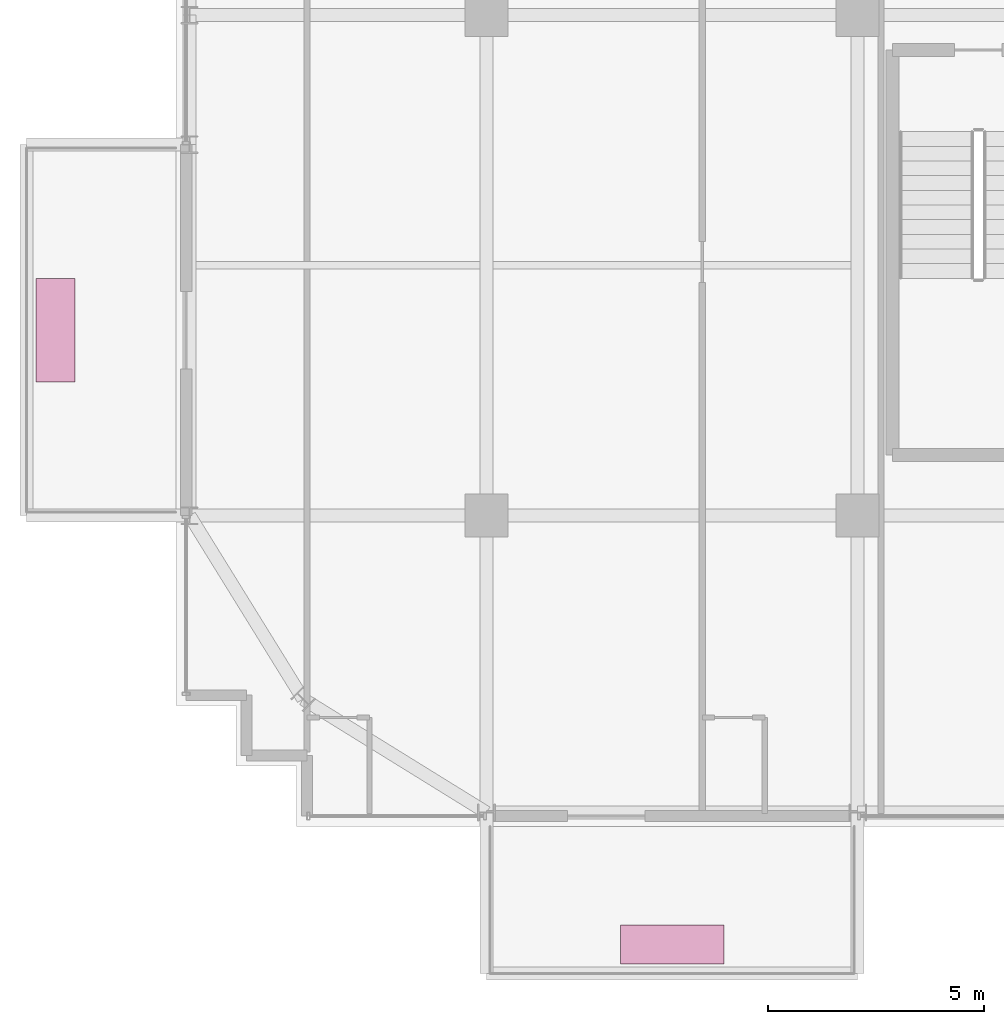
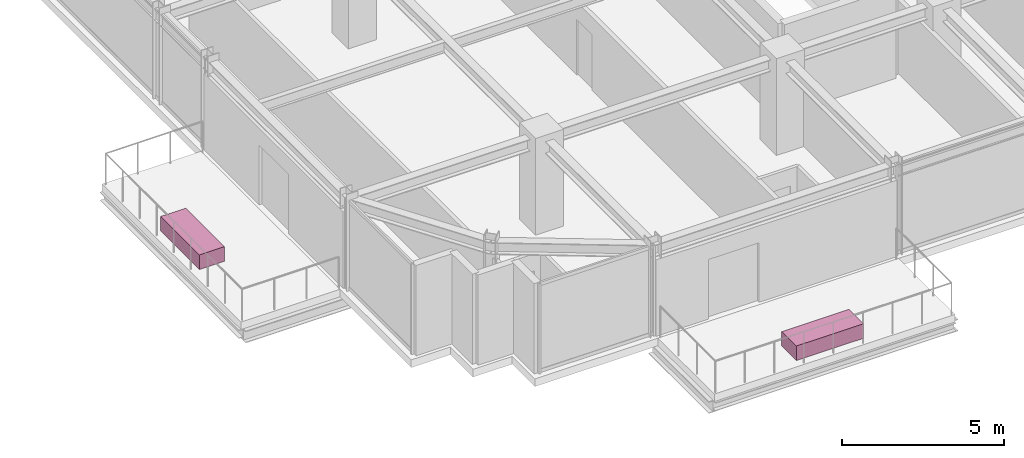
# One storey, part 35 of 35: 2 furnishings.
"""IFC4 building model written with IfcOpenShell, lengths in metres."""

from ifc_helpers import new_model, si_unit, direction, frame, origin, origin_2d, place, context, subcontext, project, spatial, rectangle, extrude, source, transform, mapped, material, type_object, element, save


model = new_model("IFC4")

# Units and contexts
model_context = context("Model", 3, precision=1e-05, world=origin(), true_north=direction((0.0, 1.0)))
body_context = subcontext(model_context, "Body", "Model", "MODEL_VIEW")
ifc_project = project(units=[si_unit("LENGTHUNIT", "METRE"), si_unit("AREAUNIT", "SQUARE_METRE"), si_unit("VOLUMEUNIT", "CUBIC_METRE"), si_unit("PLANEANGLEUNIT", "RADIAN"), si_unit("MASSUNIT", "GRAM", prefix="KILO")], contexts=[model_context])

# Site, building, storey
site_placement = place(None, origin())
site = spatial("IfcSite", under=ifc_project, at=site_placement, CompositionType="ELEMENT")
building_placement = place(site_placement, origin())
building = spatial("IfcBuilding", under=site, at=building_placement, Name="Nahalor Promenade Grand Hotel", CompositionType="ELEMENT")
storey_placement = place(building_placement, frame((0.0, 0.0, 245.60009765625)))
storey = spatial("IfcBuildingStorey", under=building, at=storey_placement, Name="L63", CompositionType="ELEMENT", Elevation=245.60009765625)

# Furnishings
ifc_material = material(Name="Vegetated Volcanic-Lapilli Tree Planter", Category="earth")
furnishing_element_type = type_object("IfcFurnishingElementType", Name="Planter-VerticalForest-Box", material=ifc_material)
shared_shape = source(origin(), body_context, "Body", "SweptSolid", [
    extrude(rectangle(XDim=2.39990234375, YDim=0.89990234375, at=origin_2d()), origin(), (0.0, 0.0, 1.0), 0.550048828125),
])
for number, where, z_axis, x_axis, name in (
    (1, (-12.699951171875, -26.93994140625, 0.0), (0.0, 0.0, 1.0), (1.0, 0.0, 0.0), "L63 Balcony Structural Tree Planter 1"),
    (2, (-26.989990234375, -12.699951171875, 0.0), (0.0, 0.0, 1.0), (0.0, 1.0, 0.0), "L63 Balcony Structural Tree Planter 2"),
):
    element("IfcFurnishingElement", number, at=place(storey_placement, frame(where, z_axis=z_axis, x_axis=x_axis)), inside=storey, type_object=furnishing_element_type, Name=name, ObjectType="PLANTER", context=body_context, shape_type="MappedRepresentation", body=[
        mapped(shared_shape, transform((0.0, 0.0, 0.0), scale=1.0)),
    ])

save(model, "model.ifc")
